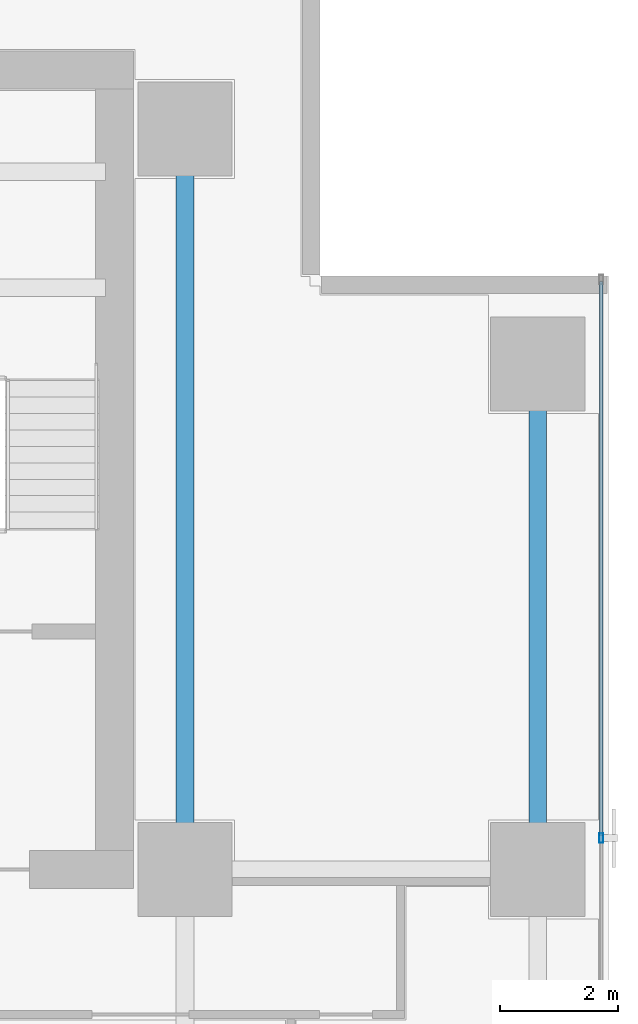
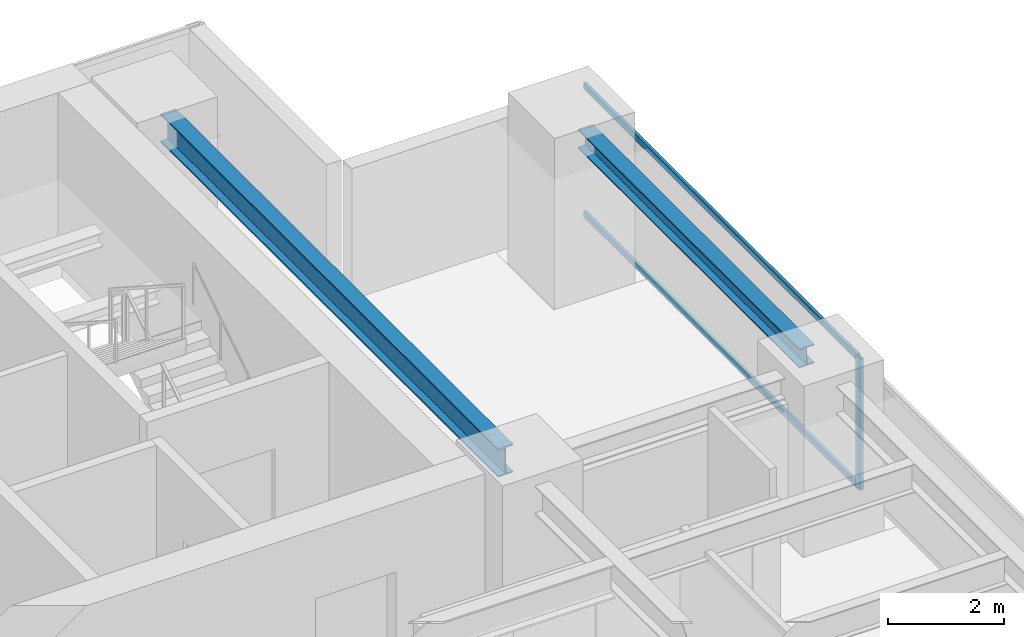
# One storey, part 18 of 29: 3 members, 2 beams, 1 element without a shape of its own.
"""IFC4 building model written with IfcOpenShell, lengths in metres."""

import ifcopenshell
import ifcopenshell.guid

model = None  # the IFC model being written
_history = None  # IfcOwnerHistory: only IFC2X3 demands one
_inside = {}  # id of a spatial element -> (the spatial element, [elements in it])
_under = {}  # id of a project, library or spatial element -> (it, [spatial elements below it])
_declared = {}  # id of a project -> (the project, [libraries it declares])
_typed = {}  # id of a type object -> (the type object, [elements of that type])
_made_of = {}  # id of a material, layer set ... -> (it, [elements and type objects made of it])


def new_model(schema):
    """Start an empty IFC model of exactly this schema.

    Asked for "IFC4X3", IfcOpenShell would pick the latest addendum, in which some entities
    have other attributes; the version numbers below select the first issue.
    IFC2X3 requires an IfcOwnerHistory on every rooted entity: one is made here for all.
    """
    global model, _history
    if schema == "IFC4X3":
        model = ifcopenshell.file(schema_version=(4, 3, 0, 0))
    else:
        model = ifcopenshell.file(schema=schema)
    _inside.clear()
    _under.clear()
    _declared.clear()
    _typed.clear()
    _made_of.clear()
    _history = None
    if model.schema == "IFC2X3":
        org = make("IfcOrganization", Name="unknown")
        user = make(
            "IfcPersonAndOrganization",
            ThePerson=make("IfcPerson", FamilyName="unknown"),
            TheOrganization=org,
        )
        app = make(
            "IfcApplication",
            ApplicationDeveloper=org,
            Version="unknown",
            ApplicationFullName="unknown",
            ApplicationIdentifier="unknown",
        )
        _history = make(
            "IfcOwnerHistory",
            OwningUser=user,
            OwningApplication=app,
            ChangeAction="ADDED",
            CreationDate=0,
        )
    return model


def make(cls, **values):
    """One entity of the class cls with the attributes given. An attribute that is None is left unset."""
    return model.create_entity(
        cls, **{name: value for name, value in values.items() if value is not None}
    )


def rooted(cls, **values):
    """An entity with a GlobalId (a new one), such as an element, a storey or a relation."""
    return make(cls, GlobalId=ifcopenshell.guid.new(), OwnerHistory=_history, **values)


def si_unit(unit_type, name, prefix=None):
    """IfcSIUnit, for example si_unit("LENGTHUNIT", "METRE", prefix="MILLI")."""
    return make("IfcSIUnit", UnitType=unit_type, Prefix=prefix, Name=name)


def assignment(units):
    """IfcUnitAssignment: the units of a project."""
    return None if units is None else make("IfcUnitAssignment", Units=units)


def point(xyz):
    """IfcCartesianPoint."""
    return None if xyz is None else make("IfcCartesianPoint", Coordinates=xyz)


def direction(xyz):
    """IfcDirection."""
    return None if xyz is None else make("IfcDirection", DirectionRatios=xyz)


def frame(location, z_axis=None, x_axis=None):
    """IfcAxis2Placement3D, a coordinate frame: its origin and axes. An axis left out is left unset."""
    return make(
        "IfcAxis2Placement3D",
        Location=point(location),
        Axis=direction(z_axis),
        RefDirection=direction(x_axis),
    )


def frame_2d(location, x_axis=None):
    """IfcAxis2Placement2D, a coordinate frame in the plane: its origin and x axis."""
    return make(
        "IfcAxis2Placement2D", Location=point(location), RefDirection=direction(x_axis)
    )


def origin():
    """The frame at (0, 0, 0) with its axes left unset."""
    return frame((0.0, 0.0, 0.0))


def origin_2d():
    """The frame at (0, 0) in the plane with its x axis left unset."""
    return frame_2d((0.0, 0.0))


def place(relative_to, where):
    """IfcLocalPlacement: puts the frame where relative to a parent placement (None: the world)."""
    return make(
        "IfcLocalPlacement", PlacementRelTo=relative_to, RelativePlacement=where
    )


def context(
    kind, dimensions, precision=None, world=None, true_north=None, identifier=None
):
    """IfcGeometricRepresentationContext, for example the 3D "Model" context."""
    return make(
        "IfcGeometricRepresentationContext",
        ContextIdentifier=identifier,
        ContextType=kind,
        CoordinateSpaceDimension=dimensions,
        Precision=precision,
        WorldCoordinateSystem=world,
        TrueNorth=true_north,
    )


def subcontext(parent, identifier, kind, view, scale=None):
    """IfcGeometricRepresentationSubContext, for example "Body" below "Model"."""
    return make(
        "IfcGeometricRepresentationSubContext",
        ContextIdentifier=identifier,
        ContextType=kind,
        ParentContext=parent,
        TargetScale=scale,
        TargetView=view,
    )


def project(units=None, contexts=None):
    """IfcProject with its units and contexts."""
    return rooted(
        "IfcProject",
        Name="project",
        RepresentationContexts=contexts,
        UnitsInContext=assignment(units),
    )


def spatial(cls, under=None, at=None, **own):
    """A site, building, storey or space (cls), placed at a placement, below another one or the project."""
    s = rooted(cls, ObjectPlacement=at, **own)
    if under is not None:
        _under.setdefault(under.id(), (under, []))[1].append(s)
    return s


def profile(cls, at=None, kind="AREA", **sizes):
    """A parametric profile (cls). Its sizes go by their IFC names, for example OverallWidth=200.0."""
    return make(cls, ProfileType=kind, Position=at, **sizes)


def hollow_rectangle(**sizes):
    """IfcRectangleHollowProfileDef."""
    return profile("IfcRectangleHollowProfileDef", **sizes)


def i_section(**sizes):
    """IfcIShapeProfileDef."""
    return profile("IfcIShapeProfileDef", **sizes)


def extrude(swept, where, along, depth):
    """IfcExtrudedAreaSolid: the profile swept, set in the frame where, extruded along a direction by depth."""
    return make(
        "IfcExtrudedAreaSolid",
        SweptArea=swept,
        Position=where,
        ExtrudedDirection=direction(along),
        Depth=depth,
    )


def shape(context_of_items, identifier, shape_type, items):
    """IfcShapeRepresentation: the items that make up one representation, for example the "Body"."""
    return make(
        "IfcShapeRepresentation",
        ContextOfItems=context_of_items,
        RepresentationIdentifier=identifier,
        RepresentationType=shape_type,
        Items=items,
    )


def source(mapping_origin, context_of_items, identifier, shape_type, items):
    """IfcRepresentationMap: a shape defined once, which mapped items show again and again."""
    return make(
        "IfcRepresentationMap",
        MappingOrigin=mapping_origin,
        MappedRepresentation=shape(context_of_items, identifier, shape_type, items),
    )


def transform(
    local_origin,
    x_axis=None,
    y_axis=None,
    z_axis=None,
    scale=None,
    scale2=None,
    scale3=None,
    uniform=True,
):
    """IfcCartesianTransformationOperator3D, or its non-uniform kind. x_axis, y_axis, z_axis: its Axis1, 2, 3."""
    if uniform:
        return make(
            "IfcCartesianTransformationOperator3D",
            Axis1=direction(x_axis),
            Axis2=direction(y_axis),
            LocalOrigin=point(local_origin),
            Scale=scale,
            Axis3=direction(z_axis),
        )
    return make(
        "IfcCartesianTransformationOperator3DnonUniform",
        Axis1=direction(x_axis),
        Axis2=direction(y_axis),
        LocalOrigin=point(local_origin),
        Scale=scale,
        Axis3=direction(z_axis),
        Scale2=scale2,
        Scale3=scale3,
    )


def mapped(mapping_source, mapping_target):
    """IfcMappedItem: shows the shape of a source again, moved by a transform."""
    return make(
        "IfcMappedItem", MappingSource=mapping_source, MappingTarget=mapping_target
    )


def material(Name=None, Category=None):
    """IfcMaterial."""
    return make("IfcMaterial", Name=Name, Category=Category)


def layer(
    of_material, thickness, ventilated=None, Name=None, Category=None, Priority=None
):
    """IfcMaterialLayer: one layer of a wall or slab, of a material (None: an air gap)."""
    return make(
        "IfcMaterialLayer",
        Material=of_material,
        LayerThickness=thickness,
        IsVentilated=ventilated,
        Name=Name,
        Category=Category,
        Priority=Priority,
    )


def layer_set(layers, Name=None):
    """IfcMaterialLayerSet."""
    return make("IfcMaterialLayerSet", MaterialLayers=layers, LayerSetName=Name)


def material_profile(
    of_material, cross_section, Name=None, Category=None, Priority=None
):
    """IfcMaterialProfile: a cross section and its material."""
    return make(
        "IfcMaterialProfile",
        Name=Name,
        Material=of_material,
        Profile=cross_section,
        Priority=Priority,
        Category=Category,
    )


def profile_set(profiles, Name=None, composite=None):
    """IfcMaterialProfileSet."""
    return make(
        "IfcMaterialProfileSet",
        Name=Name,
        MaterialProfiles=profiles,
        CompositeProfile=composite,
    )


def made_of(thing, what):
    """Note that an element or type object is made of a material, layer set ...; save() writes the relation."""
    if what is not None:
        _made_of.setdefault(what.id(), (what, []))[1].append(thing)
    return thing


def type_object(cls, material=None, **own):
    """A type object (cls), such as IfcWallType, which elements share."""
    return made_of(rooted(cls, **own), material)


def element(
    cls,
    number,
    at=None,
    inside=None,
    cuts=None,
    type_object=None,
    material=None,
    context=None,
    identifier="Body",
    shape_type=None,
    held_by="IfcProductDefinitionShape",
    body=None,
    shapes=None,
    **own,
):
    """One element of the class cls, such as IfcWall. Its Tag is "e" and its number.

    at: its placement. inside: the storey or other place that contains it. cuts: it is an
    opening in that element (IfcRelVoidsElement). A single representation is given by context,
    identifier, shape_type and body (its items); several are given by shapes. held_by: the class
    of the entity that holds the representations. save() writes the other relations.
    """
    e = rooted(cls, Tag="e%d" % number, ObjectPlacement=at, **own)
    if body is not None:
        shapes = [shape(context, identifier, shape_type, body)]
    if shapes is not None:
        e.Representation = make(held_by, Representations=shapes)
    if inside is not None:
        _inside.setdefault(inside.id(), (inside, []))[1].append(e)
    if cuts is not None:
        rooted(
            "IfcRelVoidsElement", RelatingBuildingElement=cuts, RelatedOpeningElement=e
        )
    if type_object is not None:
        _typed.setdefault(type_object.id(), (type_object, []))[1].append(e)
    return made_of(e, material)


def aggregate(whole, parts):
    """IfcRelAggregates: a whole, such as a stair, and the parts it consists of."""
    return rooted("IfcRelAggregates", RelatingObject=whole, RelatedObjects=parts)


def save(model, path):
    """Write the relations noted so far, then the file.

    IfcRelAggregates (storeys below a building ...), IfcRelContainedInSpatialStructure (elements
    in a storey), IfcRelDefinesByType, IfcRelAssociatesMaterial and IfcRelDeclares: one each for
    every whole, place, type object, material and project.
    """
    for whole, parts in _under.values():
        aggregate(whole, parts)
    for where, things in _inside.values():
        rooted(
            "IfcRelContainedInSpatialStructure",
            RelatedElements=things,
            RelatingStructure=where,
        )
    for kind, things in _typed.values():
        rooted("IfcRelDefinesByType", RelatedObjects=things, RelatingType=kind)
    for what, things in _made_of.values():
        rooted("IfcRelAssociatesMaterial", RelatedObjects=things, RelatingMaterial=what)
    for by, libraries in _declared.values():
        rooted("IfcRelDeclares", RelatingContext=by, RelatedDefinitions=libraries)
    model.write(path)


model = new_model("IFC4")

# Units and contexts
model_context = context("Model", 3, precision=1e-05, world=origin(), true_north=direction((0.0, 1.0)))
body_context = subcontext(model_context, "Body", "Model", "MODEL_VIEW")
ifc_project = project(units=[si_unit("LENGTHUNIT", "METRE"), si_unit("AREAUNIT", "SQUARE_METRE"), si_unit("VOLUMEUNIT", "CUBIC_METRE"), si_unit("PLANEANGLEUNIT", "RADIAN"), si_unit("MASSUNIT", "GRAM", prefix="KILO")], contexts=[model_context])

# Site, building, storey
site_placement = place(None, origin())
site = spatial("IfcSite", under=ifc_project, at=site_placement, CompositionType="ELEMENT")
building_placement = place(site_placement, origin())
building = spatial("IfcBuilding", under=site, at=building_placement, Name="Sumidabori Civic Tower", CompositionType="ELEMENT")
storey_placement = place(building_placement, frame((0.0, 0.0, 131.60009765625)))
storey = spatial("IfcBuildingStorey", under=building, at=storey_placement, Name="L33", CompositionType="ELEMENT", Elevation=131.60009765625)

# Beams
ifc_material_1 = material(Name="Steel SN490", Category="steel")
ifc_material_profile_1 = material_profile(ifc_material_1, i_section(OverallWidth=0.300048828125, OverallDepth=0.39990234375, WebThickness=0.013427734375, FlangeThickness=0.02392578125, at=origin_2d()), Name="HE 400 B")
ifc_profile_set_1 = profile_set([ifc_material_profile_1], Name="Steel SN490")
beam_type_1 = type_object("IfcBeamType", Name="BM-GIRD-400", PredefinedType="BEAM", material=ifc_profile_set_1)
shared_shape_1 = source(origin(), body_context, "Body", "SweptSolid", [
    extrude(i_section(OverallWidth=0.300048828125, OverallDepth=0.39990234375, WebThickness=0.013427734375, FlangeThickness=0.02392578125, at=origin_2d()), origin(), (0.0, 0.0, 1.0), 7.64013671875),
])
beam_1_placement = place(storey_placement, frame((22.800048828125, 10.679931640625, 3.179931640625), z_axis=(0.0, 1.0, 0.0), x_axis=(-1.0, 0.0, 0.0)))
element("IfcBeam", 1, at=beam_1_placement, inside=storey, type_object=beam_type_1, Name="Primary Girder L33 GY-38", PredefinedType="BEAM", context=body_context, shape_type="MappedRepresentation", body=[
    mapped(shared_shape_1, transform((0.0, 0.0, 0.0), x_axis=(1.0, 0.0, 0.0), y_axis=(0.0, 1.0, 0.0), z_axis=(0.0, 0.0, 1.0), scale=1.0)),
])
ifc_material_profile_2 = material_profile(ifc_material_1, i_section(OverallWidth=0.300048828125, OverallDepth=0.60009765625, WebThickness=0.015380859375, FlangeThickness=0.030029296875, at=origin_2d()), Name="HE 600 B")
ifc_profile_set_2 = profile_set([ifc_material_profile_2], Name="Steel SN490")
beam_type_2 = type_object("IfcBeamType", Name="BM-GIRD-600", PredefinedType="BEAM", material=ifc_profile_set_2)
shared_shape_2 = source(origin(), body_context, "Body", "SweptSolid", [
    extrude(i_section(OverallWidth=0.300048828125, OverallDepth=0.60009765625, WebThickness=0.015380859375, FlangeThickness=0.030029296875, at=origin_2d()), origin(), (0.0, 0.0, 1.0), 11.64013671875),
])
beam_2_placement = place(storey_placement, frame((16.800048828125, 10.679931640625, 3.079833984375), z_axis=(0.0, 1.0, 0.0), x_axis=(-1.0, 0.0, 0.0)))
element("IfcBeam", 2, at=beam_2_placement, inside=storey, type_object=beam_type_2, Name="Primary Girder L33 GY-35", PredefinedType="BEAM", context=body_context, shape_type="MappedRepresentation", body=[
    mapped(shared_shape_2, transform((0.0, 0.0, 0.0), x_axis=(1.0, 0.0, 0.0), y_axis=(0.0, 1.0, 0.0), z_axis=(0.0, 0.0, 1.0), scale=1.0)),
])

# Curtain wall, members
ifc_material_2 = material(Name="Anodised Bronze Aluminium AW-6063-T6", Category="aluminium")
ifc_layer = layer(ifc_material_2, 0.179931640625, Name="Anodised Bronze Aluminium AW-6063-T6")
ifc_layer_set = layer_set([ifc_layer], Name="Anodised Bronze Aluminium AW-6063-T6")
curtain_wall_type = type_object("IfcCurtainWallType", Name="CW-SYS-3", PredefinedType="NOTDEFINED", material=ifc_layer_set)
curtain_wall_placement = place(storey_placement, origin())
curtain_wall = element("IfcCurtainWall", 3, at=curtain_wall_placement, inside=storey, type_object=curtain_wall_type, Name="Curtain Wall CW:L33:R04", PredefinedType="NOTDEFINED")
ifc_material_profile_3 = material_profile(ifc_material_2, hollow_rectangle(XDim=0.06494140625, YDim=0.159912109375, WallThickness=0.0048828125, at=origin_2d()), Name="ALU MULLION 160x65")
ifc_profile_set_3 = profile_set([ifc_material_profile_3], Name="Anodised Bronze Aluminium AW-6063-T6")
member_type_1 = type_object("IfcMemberType", Name="CW-MUL-160", PredefinedType="MULLION", material=ifc_profile_set_3)
shared_shape_3 = source(origin(), body_context, "Body", "SweptSolid", [
    extrude(hollow_rectangle(XDim=0.06494140625, YDim=0.159912109375, WallThickness=0.0048828125, at=origin_2d()), origin(), (0.0, 0.0, 1.0), 2.760009765625),
])
member_1_placement = place(storey_placement, frame((23.8798828125, 10.735107421875, 0.0), z_axis=(0.0, 0.0, 1.0), x_axis=(-1.0, 0.0, 0.0)))
member_1 = element("IfcMember", 4, at=member_1_placement, type_object=member_type_1, Name="CW-3 mullion 4", PredefinedType="MULLION", context=body_context, shape_type="MappedRepresentation", body=[
    mapped(shared_shape_3, transform((0.0, 0.0, 0.0), x_axis=(1.0, 0.0, 0.0), y_axis=(0.0, 1.0, 0.0), z_axis=(0.0, 0.0, 1.0), scale=1.0)),
])
ifc_material_profile_4 = material_profile(ifc_material_2, hollow_rectangle(XDim=0.06005859375, YDim=0.1298828125, WallThickness=0.0048828125, at=origin_2d()), Name="ALU TRANSOM 130x60")
ifc_profile_set_4 = profile_set([ifc_material_profile_4], Name="Anodised Bronze Aluminium AW-6063-T6")
member_type_2 = type_object("IfcMemberType", Name="CW-TRN-130", PredefinedType="USERDEFINED", material=ifc_profile_set_4)
shared_shape_4 = source(origin(), body_context, "Body", "SweptSolid", [
    extrude(hollow_rectangle(XDim=0.06005859375, YDim=0.1298828125, WallThickness=0.0048828125, at=origin_2d()), origin(), (0.0, 0.0, 1.0), 9.4375),
])
member_2_placement = place(storey_placement, frame((23.8798828125, 10.767578125, 0.02978515625), z_axis=(0.0, 1.0, 0.0), x_axis=(-1.0, 0.0, 0.0)))
member_2 = element("IfcMember", 5, at=member_2_placement, type_object=member_type_2, Name="CW-3 transom 4.1", ObjectType="TRANSOM", PredefinedType="USERDEFINED", context=body_context, shape_type="MappedRepresentation", body=[
    mapped(shared_shape_4, transform((0.0, 0.0, 0.0), x_axis=(1.0, 0.0, 0.0), y_axis=(0.0, 1.0, 0.0), z_axis=(0.0, 0.0, 1.0), scale=1.0)),
])
member_3_placement = place(storey_placement, frame((23.8798828125, 10.767578125, 2.72998046875), z_axis=(0.0, 1.0, 0.0), x_axis=(-1.0, 0.0, 0.0)))
member_3 = element("IfcMember", 6, at=member_3_placement, type_object=member_type_2, Name="CW-3 transom 4.2", ObjectType="TRANSOM", PredefinedType="USERDEFINED", context=body_context, shape_type="MappedRepresentation", body=[
    mapped(shared_shape_4, transform((0.0, 0.0, 0.0), x_axis=(1.0, 0.0, 0.0), y_axis=(0.0, 1.0, 0.0), z_axis=(0.0, 0.0, 1.0), scale=1.0)),
])
aggregate(curtain_wall, [member_1, member_2, member_3])

save(model, "model.ifc")
